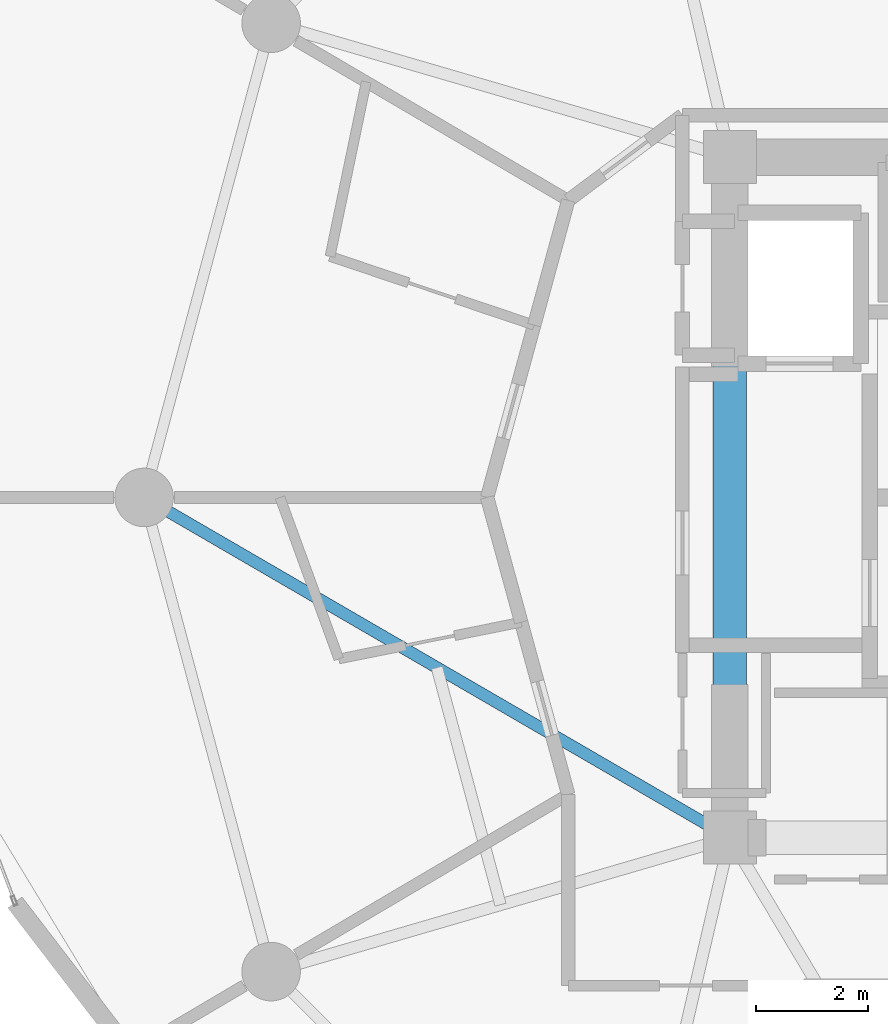
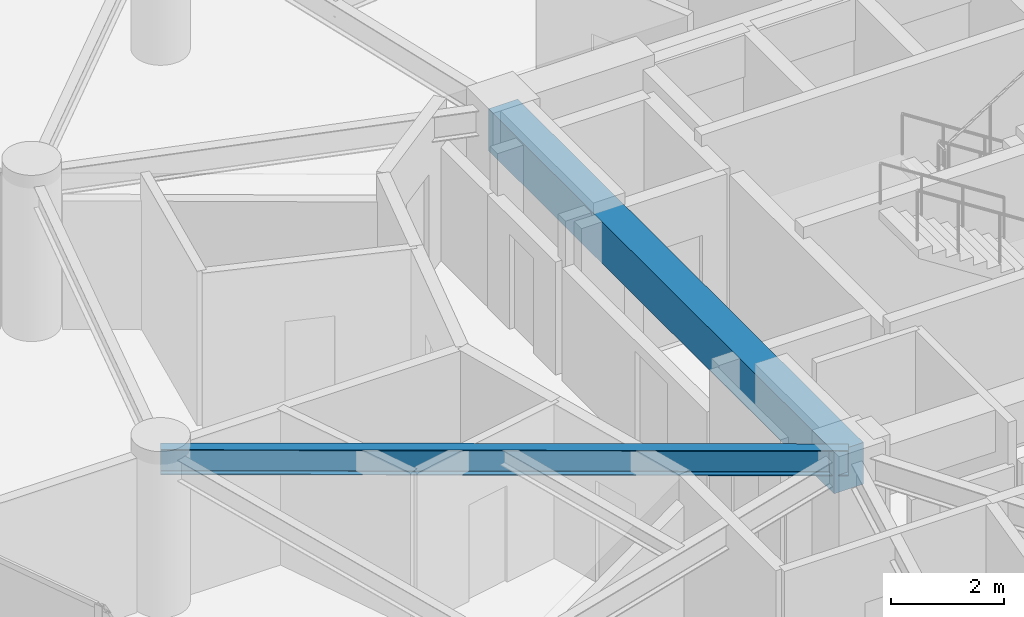
# One storey, part 7 of 23: 2 beams.
"""IFC4 building model written with IfcOpenShell, lengths in metres."""

from ifc_helpers import new_model, si_unit, direction, frame, origin, origin_2d, place, context, subcontext, project, spatial, rectangle, i_section, extrude, material, material_profile, profile_set, type_object, element, save


model = new_model("IFC4")

# Units and contexts
model_context = context("Model", 3, precision=1e-05, world=origin(), true_north=direction((0.0, 1.0)))
body_context = subcontext(model_context, "Body", "Model", "MODEL_VIEW")
ifc_project = project(units=[si_unit("LENGTHUNIT", "METRE"), si_unit("AREAUNIT", "SQUARE_METRE"), si_unit("VOLUMEUNIT", "CUBIC_METRE"), si_unit("PLANEANGLEUNIT", "RADIAN"), si_unit("MASSUNIT", "GRAM", prefix="KILO")], contexts=[model_context])

# Site, building, storey
site_placement = place(None, origin())
site = spatial("IfcSite", under=ifc_project, at=site_placement, CompositionType="ELEMENT")
building_placement = place(site_placement, origin())
building = spatial("IfcBuilding", under=site, at=building_placement, Name="Solvirekh Grand Hotel", CompositionType="ELEMENT")
storey_placement = place(building_placement, frame((0.0, 0.0, 109.800048828125)))
storey = spatial("IfcBuildingStorey", under=building, at=storey_placement, Name="L27", CompositionType="ELEMENT", Elevation=109.800048828125)

# Beams
ifc_material_1 = material(Name="Concrete C50/60", Category="concrete")
ifc_material_profile_1 = material_profile(ifc_material_1, rectangle(XDim=0.60009765625, YDim=0.89990234375, at=origin_2d()), Name="RC BEAM 600X900")
ifc_profile_set_1 = profile_set([ifc_material_profile_1], Name="Concrete C50/60")
beam_type_1 = type_object("IfcBeamType", Name="Beam_Core_RC900", PredefinedType="BEAM", material=ifc_profile_set_1)
beam_1_placement = place(storey_placement, frame((-6.5, 6.10009765625, 2.89990234375), z_axis=(0.0, -1.0, 0.0), x_axis=(1.0, 0.0, 0.0)))
element("IfcBeam", 1, at=beam_1_placement, inside=storey, type_object=beam_type_1, Name="L27 core coupling ring beam 4", PredefinedType="BEAM", context=body_context, shape_type="SweptSolid", body=[
    extrude(rectangle(XDim=0.60009765625, YDim=0.89990234375, at=origin_2d()), origin(), (0.0, 0.0, 1.0), 12.2001953125),
])
ifc_material_2 = material(Name="Steel S355", Category="steel")
ifc_material_profile_2 = material_profile(ifc_material_2, i_section(OverallWidth=0.2119140625, OverallDepth=0.5439453125, WebThickness=0.011962890625, FlangeThickness=0.01904296875, FilletRadius=0.013916015625, at=origin_2d()), Name="W530X123")
ifc_profile_set_2 = profile_set([ifc_material_profile_2], Name="Steel S355")
beam_type_2 = type_object("IfcBeamType", Name="Beam_Radial_W530H", PredefinedType="BEAM", material=ifc_profile_set_2)
beam_2_placement = place(storey_placement, frame((-6.5, -6.10009765625, 3.077880859375), z_axis=(-0.864670076815, 0.50234018181, 0.0), x_axis=(-0.50234018181, -0.864670076815, 0.0)))
element("IfcBeam", 2, at=beam_2_placement, inside=storey, type_object=beam_type_2, Name="L27 radial floor beam R07", PredefinedType="BEAM", context=body_context, shape_type="SweptSolid", body=[
    extrude(i_section(OverallWidth=0.2119140625, OverallDepth=0.5439453125, WebThickness=0.011962890625, FlangeThickness=0.01904296875, FilletRadius=0.013916015625, at=origin_2d()), origin(), (0.0, 0.0, 1.0), 12.143310546875),
])

save(model, "model.ifc")
